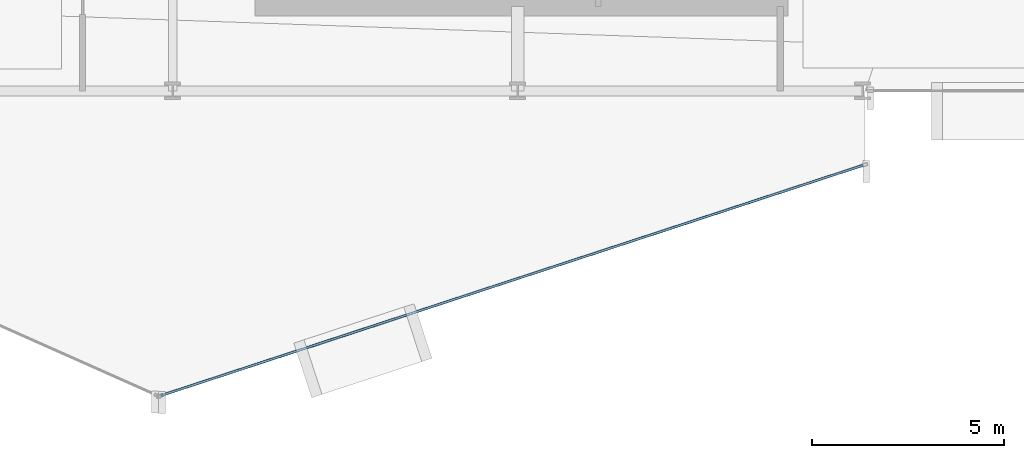
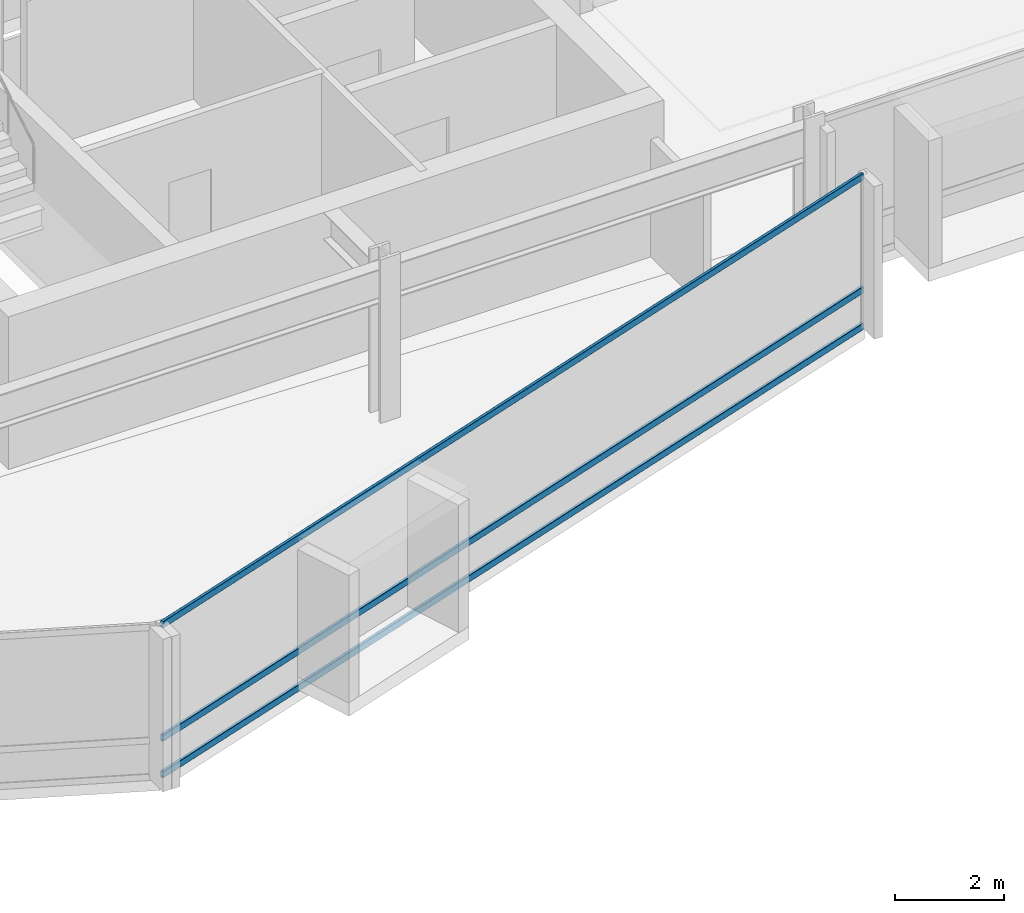
# One storey, part 9 of 28: 3 members, 1 element without a shape of its own.
"""IFC4 building model written with IfcOpenShell, lengths in metres."""

from ifc_helpers import new_model, si_unit, direction, frame, origin, origin_2d, place, context, subcontext, project, spatial, hollow_rectangle, extrude, material, layer, layer_set, material_profile, profile_set, type_object, element, aggregate, save


model = new_model("IFC4")

# Units and contexts
model_context = context("Model", 3, precision=1e-05, world=origin(), true_north=direction((0.0, 1.0)))
body_context = subcontext(model_context, "Body", "Model", "MODEL_VIEW")
ifc_project = project(units=[si_unit("LENGTHUNIT", "METRE"), si_unit("AREAUNIT", "SQUARE_METRE"), si_unit("VOLUMEUNIT", "CUBIC_METRE"), si_unit("PLANEANGLEUNIT", "RADIAN"), si_unit("MASSUNIT", "GRAM", prefix="KILO")], contexts=[model_context])

# Site, building, storey
site_placement = place(None, origin())
site = spatial("IfcSite", under=ifc_project, at=site_placement, CompositionType="ELEMENT")
building_placement = place(site_placement, origin())
building = spatial("IfcBuilding", under=site, at=building_placement, Name="Solvaryn Broadcast Tower", CompositionType="ELEMENT")
storey_placement = place(building_placement, frame((0.0, 0.0, 132.199951171875)))
storey = spatial("IfcBuildingStorey", under=building, at=storey_placement, Name="L32", CompositionType="ELEMENT", Elevation=132.199951171875)

# Curtain wall, members
ifc_material_1 = material(Name="Aluminium and Terracotta Unitised Curtain Wall", Category="masonry")
ifc_layer = layer(ifc_material_1, 0.199951171875)
ifc_layer_set = layer_set([ifc_layer], Name="CW-SYS2-LOWMID")
curtain_wall_type = type_object("IfcCurtainWallType", Name="CW-SYS2-LOWMID", PredefinedType="NOTDEFINED", material=ifc_layer_set)
curtain_wall_placement = place(storey_placement, origin())
curtain_wall = element("IfcCurtainWall", 1, at=curtain_wall_placement, inside=storey, type_object=curtain_wall_type, Name="L32 Curtain Wall DR4", PredefinedType="NOTDEFINED")
ifc_material_2 = material(Name="Anodised Aluminium 6063-T6", Category="aluminium")
ifc_material_profile = material_profile(ifc_material_2, hollow_rectangle(XDim=0.06494140625, YDim=0.14990234375, WallThickness=0.00390625, InnerFilletRadius=0.00390625, OuterFilletRadius=0.008056640625, at=origin_2d()))
ifc_profile_set = profile_set([ifc_material_profile], Name="Anodised Aluminium 6063-T6")
member_type = type_object("IfcMemberType", Name="CW-TRN-150", PredefinedType="USERDEFINED", material=ifc_profile_set)
member_1_placement = place(storey_placement, frame((26.693115234375, 1.052734375, 0.030029296875), z_axis=(0.950198373323, 0.31164571445, 0.0), x_axis=(-0.31164571445, 0.950198373323, 0.0)))
member_1 = element("IfcMember", 2, at=member_1_placement, type_object=member_type, Name="CWS2 transom 1.1", ObjectType="TRANSOM", PredefinedType="USERDEFINED", context=body_context, shape_type="SweptSolid", body=[
    extrude(hollow_rectangle(XDim=0.06494140625, YDim=0.14990234375, WallThickness=0.00390625, InnerFilletRadius=0.00390625, OuterFilletRadius=0.008056640625, at=origin_2d()), origin(), (0.0, 0.0, 1.0), 19.27685546875),
])
member_2_placement = place(storey_placement, frame((26.693115234375, 1.052734375, 0.85009765625), z_axis=(0.950198373323, 0.31164571445, 0.0), x_axis=(-0.31164571445, 0.950198373323, 0.0)))
member_2 = element("IfcMember", 3, at=member_2_placement, type_object=member_type, Name="CWS2 transom 1.2", ObjectType="TRANSOM", PredefinedType="USERDEFINED", context=body_context, shape_type="SweptSolid", body=[
    extrude(hollow_rectangle(XDim=0.06494140625, YDim=0.14990234375, WallThickness=0.00390625, InnerFilletRadius=0.00390625, OuterFilletRadius=0.008056640625, at=origin_2d()), origin(), (0.0, 0.0, 1.0), 19.27685546875),
])
member_3_placement = place(storey_placement, frame((26.693115234375, 1.052734375, 3.39013671875), z_axis=(0.950198373323, 0.31164571445, 0.0), x_axis=(-0.31164571445, 0.950198373323, 0.0)))
member_3 = element("IfcMember", 4, at=member_3_placement, type_object=member_type, Name="CWS2 transom 1.3", ObjectType="TRANSOM", PredefinedType="USERDEFINED", context=body_context, shape_type="SweptSolid", body=[
    extrude(hollow_rectangle(XDim=0.06494140625, YDim=0.14990234375, WallThickness=0.00390625, InnerFilletRadius=0.00390625, OuterFilletRadius=0.008056640625, at=origin_2d()), origin(), (0.0, 0.0, 1.0), 19.27685546875),
])
aggregate(curtain_wall, [member_1, member_2, member_3])

save(model, "model.ifc")
